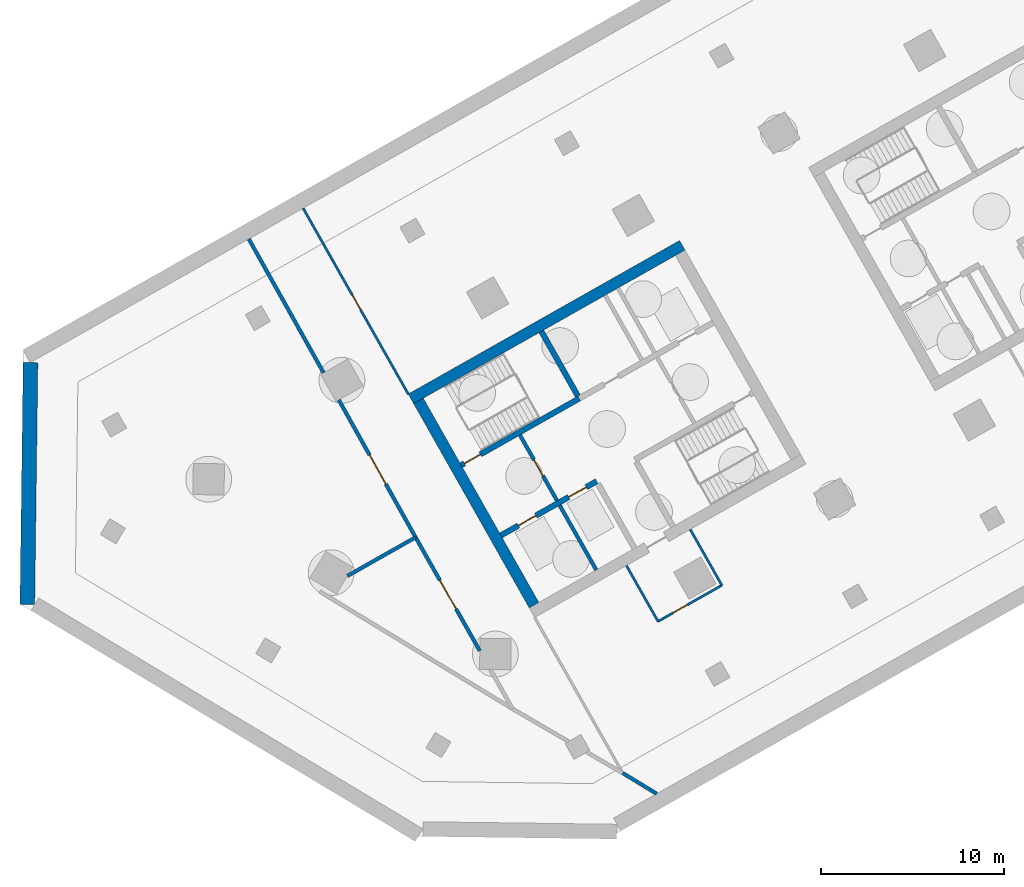
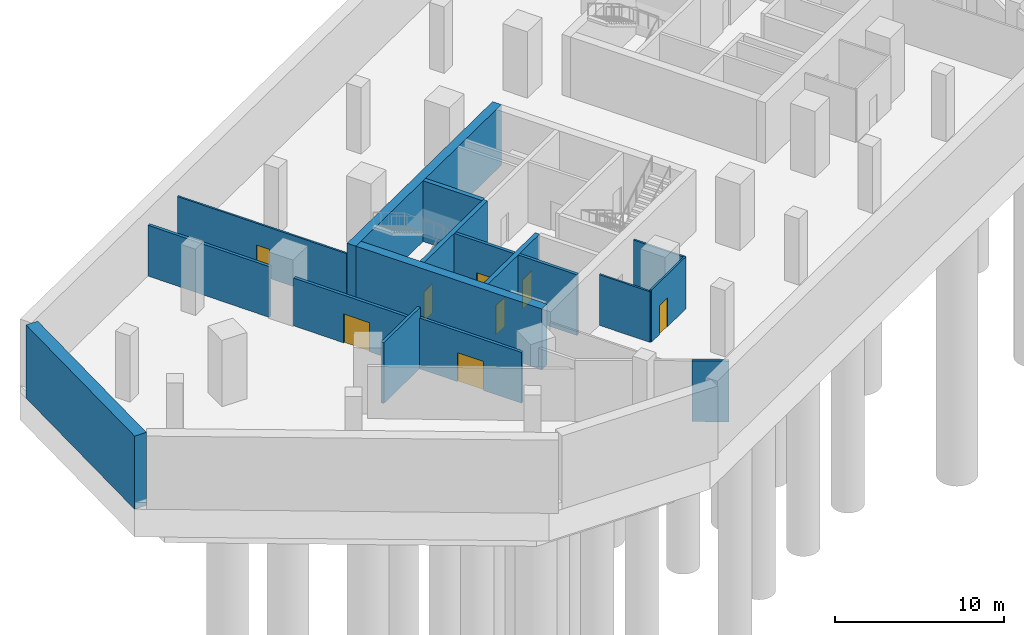
# One storey, part 2 of 11: 17 walls, 8 doors, 8 openings.
"""IFC4 building model written with IfcOpenShell, lengths in metres."""

from ifc_helpers import new_model, si_unit, direction, frame, frame_2d, origin, place, context, subcontext, project, spatial, rectangle, extrude, material, layer, layer_set, type_object, element, fill, save


model = new_model("IFC4")

# Units and contexts
model_context = context("Model", 3, precision=1e-05, world=origin(), true_north=direction((0.0, 1.0)))
body_context = subcontext(model_context, "Body", "Model", "MODEL_VIEW")
ifc_project = project(units=[si_unit("LENGTHUNIT", "METRE"), si_unit("AREAUNIT", "SQUARE_METRE"), si_unit("VOLUMEUNIT", "CUBIC_METRE"), si_unit("PLANEANGLEUNIT", "RADIAN"), si_unit("MASSUNIT", "GRAM", prefix="KILO")], contexts=[model_context])

# Site, building, storey
site_placement = place(None, origin())
site = spatial("IfcSite", under=ifc_project, at=site_placement, CompositionType="ELEMENT")
building_placement = place(site_placement, origin())
building = spatial("IfcBuilding", under=site, at=building_placement, Name="Binnacle Exchange Tower", CompositionType="ELEMENT")
storey_placement = place(building_placement, frame((0.0, 0.0, -9.60009765625)))
storey = spatial("IfcBuildingStorey", under=building, at=storey_placement, Name="B2", CompositionType="ELEMENT", Elevation=-9.60009765625)

# Wall
ifc_material_1 = material(Name="Concrete C40/50", Category="concrete")
ifc_layer_1 = layer(ifc_material_1, 0.800048828125)
ifc_layer_set_1 = layer_set([ifc_layer_1], Name="Basement retaining wall 800 Concrete C40/50")
wall_type_1 = type_object("IfcWallType", Name="Basement retaining wall 800 Concrete C40/50", PredefinedType="SOLIDWALL", material=ifc_layer_set_1)
wall_1_placement = place(storey_placement, frame((-67.210693359375, 43.383544921875, -0.5), z_axis=(0.0, 0.0, 1.0), x_axis=(-0.01309437996, -0.999914264931, 0.0)))
element("IfcWall", 1, at=wall_1_placement, inside=storey, type_object=wall_type_1, Name="S:RW:B2:05", PredefinedType="SOLIDWALL", context=body_context, shape_type="SweptSolid", body=[
    extrude(rectangle(XDim=13.181884765625, YDim=0.800048828125, at=frame_2d((6.5908203125, 0.0))), origin(), (0.0, 0.0, 1.0), 5.300048828125),
])

# Wall, openings, doors
ifc_material_2 = material(Name="Concrete C70/85", Category="concrete")
ifc_layer_2 = layer(ifc_material_2, 0.300048828125)
ifc_layer_set_2 = layer_set([ifc_layer_2], Name="Core wall - front 300")
wall_type_2 = type_object("IfcWallType", Name="Core wall - front 300", PredefinedType="SOLIDWALL", material=ifc_layer_set_2)
wall_2_placement = place(storey_placement, frame((-41.555908203125, 33.9609375, 0.0), z_axis=(0.0, 0.0, 1.0), x_axis=(0.870343731308, 0.492444706919, 0.0)))
wall_2 = element("IfcWall", 2, at=wall_2_placement, inside=storey, type_object=wall_type_2, Name="Core wall CRWA2", PredefinedType="SOLIDWALL", context=body_context, shape_type="SweptSolid", body=[
    extrude(rectangle(XDim=5.999755859375, YDim=0.300048828125, at=frame_2d((3.0, 0.0))), origin(), (0.0, 0.0, 1.0), 4.400146484375),
])
opening_1_placement = place(wall_2_placement, frame((1.099853515625, 0.0, 0.0)))
opening_1 = element("IfcOpeningElement", 3, at=opening_1_placement, cuts=wall_2, Name="Opening LD12", PredefinedType="OPENING", context=body_context, shape_type="SweptSolid", body=[
    extrude(rectangle(XDim=1.10009765625, YDim=2.10009765625, at=frame_2d((0.550048828125, 1.050048828125))), frame((0.0, 0.159912109375, 0.0), z_axis=(0.0, -1.0, 0.0), x_axis=(1.0, 0.0, 0.0)), (0.0, 0.0, 1.0), 0.320068359375),
])
opening_2_placement = place(wall_2_placement, frame((4.25, 0.0, 0.0)))
opening_2 = element("IfcOpeningElement", 4, at=opening_2_placement, cuts=wall_2, Name="Opening LD8", PredefinedType="OPENING", context=body_context, shape_type="SweptSolid", body=[
    extrude(rectangle(XDim=1.10009765625, YDim=2.10009765625, at=frame_2d((0.550048828125, 1.050048828125))), frame((0.0, 0.159912109375, 0.0), z_axis=(0.0, -1.0, 0.0), x_axis=(1.0, 0.0, 0.0)), (0.0, 0.0, 1.0), 0.320068359375),
])
ifc_material_3 = material(Name="Steel door leaf", Category="steel")
door_type_1 = type_object("IfcDoorType", Name="Fire door - lift landing 1100", OperationType="NOTDEFINED", PredefinedType="DOOR", material=ifc_material_3)
door_1_placement = place(opening_1_placement, origin())
door_1 = element("IfcDoor", 5, at=door_1_placement, inside=storey, type_object=door_type_1, Name="Landing door LD12 B2", OperationType="DOUBLE_DOOR_SLIDING", OverallHeight=2.10009765625, OverallWidth=1.10009765625, PredefinedType="DOOR", context=body_context, shape_type="SweptSolid", body=[
    extrude(rectangle(XDim=1.10009765625, YDim=2.10009765625, at=frame_2d((0.550048828125, 1.050048828125))), frame((0.0, 0.02490234375, 0.0), z_axis=(0.0, -1.0, 0.0), x_axis=(1.0, 0.0, 0.0)), (0.0, 0.0, 1.0), 0.050048828125),
])
fill(opening_1, door_1)
door_2_placement = place(opening_2_placement, origin())
door_2 = element("IfcDoor", 6, at=door_2_placement, inside=storey, type_object=door_type_1, Name="Landing door LD8 B2", OperationType="DOUBLE_DOOR_SLIDING", OverallHeight=2.10009765625, OverallWidth=1.10009765625, PredefinedType="DOOR", context=body_context, shape_type="SweptSolid", body=[
    extrude(rectangle(XDim=1.10009765625, YDim=2.10009765625, at=frame_2d((0.550048828125, 1.050048828125))), frame((0.0, 0.02490234375, 0.0), z_axis=(0.0, -1.0, 0.0), x_axis=(1.0, 0.0, 0.0)), (0.0, 0.0, 1.0), 0.050048828125),
])
fill(opening_2, door_2)

# Walls
ifc_layer_3 = layer(ifc_material_2, 0.60009765625)
ifc_layer_set_3 = layer_set([ifc_layer_3], Name="Core wall - outer 600")
wall_type_3 = type_object("IfcWallType", Name="Core wall - outer 600", PredefinedType="SOLIDWALL", material=ifc_layer_set_3)
wall_3_placement = place(storey_placement, frame((-46.460693359375, 41.41162109375, 0.0), z_axis=(0.0, 0.0, 1.0), x_axis=(0.870350116061, 0.492433422375, 0.0)))
element("IfcWall", 7, at=wall_3_placement, inside=storey, type_object=wall_type_3, Name="Core wall CRWA6", PredefinedType="SOLIDWALL", context=body_context, shape_type="SweptSolid", body=[
    extrude(rectangle(XDim=17.0, YDim=0.60009765625, at=frame_2d((8.5, 0.0))), origin(), (0.0, 0.0, 1.0), 4.400146484375),
])
wall_4_placement = place(storey_placement, frame((-46.052001953125, 41.29833984375, 0.0), z_axis=(0.0, 0.0, 1.0), x_axis=(0.492418598281, -0.870358503186, 0.0)))
element("IfcWall", 8, at=wall_4_placement, inside=storey, type_object=wall_type_3, Name="Core wall CRWA7", PredefinedType="SOLIDWALL", context=body_context, shape_type="SweptSolid", body=[
    extrude(rectangle(XDim=12.800048828125, YDim=0.60009765625, at=frame_2d((6.39990234375, 0.0))), origin(), (0.0, 0.0, 1.0), 4.400146484375),
])

# Wall, opening, door
ifc_layer_4 = layer(ifc_material_2, 0.300048828125)
ifc_layer_set_4 = layer_set([ifc_layer_4], Name="Core wall - stair 300")
wall_type_4 = type_object("IfcWallType", Name="Core wall - stair 300", PredefinedType="SOLIDWALL", material=ifc_layer_set_4)
wall_5_placement = place(storey_placement, frame((-43.72265625, 37.79052734375, 0.0), z_axis=(0.0, 0.0, 1.0), x_axis=(0.87035077051, 0.49243226567, 0.0)))
wall_5 = element("IfcWall", 9, at=wall_5_placement, inside=storey, type_object=wall_type_4, Name="Core wall CRWA4", PredefinedType="SOLIDWALL", context=body_context, shape_type="SweptSolid", body=[
    extrude(rectangle(XDim=7.400146484375, YDim=0.300048828125, at=frame_2d((3.7001953125, 0.0))), origin(), (0.0, 0.0, 1.0), 4.400146484375),
])
opening_3_placement = place(wall_5_placement, frame((0.199951171875, 0.0, 0.0)))
opening_3 = element("IfcOpeningElement", 10, at=opening_3_placement, cuts=wall_5, Name="Opening DA1", PredefinedType="OPENING", context=body_context, shape_type="SweptSolid", body=[
    extrude(rectangle(XDim=1.0, YDim=2.10009765625, at=frame_2d((0.5, 1.050048828125))), frame((0.0, 0.159912109375, 0.0), z_axis=(0.0, -1.0, 0.0), x_axis=(1.0, 0.0, 0.0)), (0.0, 0.0, 1.0), 0.320068359375),
])
door_type_2 = type_object("IfcDoorType", Name="Fire door 1000", OperationType="NOTDEFINED", PredefinedType="DOOR", material=ifc_material_3)
door_3_placement = place(opening_3_placement, origin())
door_3 = element("IfcDoor", 11, at=door_3_placement, inside=storey, type_object=door_type_2, Name="Stair door ST-A1", OperationType="SINGLE_SWING_LEFT", OverallHeight=2.10009765625, OverallWidth=1.0, PredefinedType="DOOR", context=body_context, shape_type="SweptSolid", body=[
    extrude(rectangle(XDim=1.0, YDim=2.10009765625, at=frame_2d((0.5, 1.050048828125))), frame((0.0, 0.02490234375, 0.0), z_axis=(0.0, -1.0, 0.0), x_axis=(1.0, 0.0, 0.0)), (0.0, 0.0, 1.0), 0.050048828125),
])
fill(opening_3, door_3)

# Walls
wall_6_placement = place(storey_placement, frame((-39.350341796875, 45.090087890625, 0.0), z_axis=(0.0, 0.0, 1.0), x_axis=(0.49241474071, -0.870360685654, 0.0)))
element("IfcWall", 12, at=wall_6_placement, inside=storey, type_object=wall_type_4, Name="Core wall CRWA14", PredefinedType="SOLIDWALL", context=body_context, shape_type="SweptSolid", body=[
    extrude(rectangle(XDim=4.05029296875, YDim=0.300048828125, at=frame_2d((2.025146484375, 0.0))), origin(), (0.0, 0.0, 1.0), 4.400146484375),
])
ifc_material_4 = material(Name="Masonry block wall", Category="masonry")
ifc_layer_5 = layer(ifc_material_4, 0.199951171875)
ifc_layer_set_5 = layer_set([ifc_layer_5], Name="Fire wall - block 200")
wall_type_5 = type_object("IfcWallType", Name="Fire wall - block 200", PredefinedType="PARTITIONING", material=ifc_layer_set_5)
wall_7_placement = place(storey_placement, frame((-55.305908203125, 50.131103515625, 0.0), z_axis=(0.0, 0.0, 1.0), x_axis=(0.488006573134, -0.872839953587, 0.0)))
element("IfcWall", 13, at=wall_7_placement, inside=storey, type_object=wall_type_5, Name="Partition W01", PredefinedType="PARTITIONING", context=body_context, shape_type="SweptSolid", body=[
    extrude(rectangle(XDim=8.360107421875, YDim=0.199951171875, at=frame_2d((4.18017578125, 0.0))), origin(), (0.0, 0.0, 1.0), 3.68017578125),
])

# Wall, opening, door
wall_8_placement = place(storey_placement, frame((-50.39697265625, 41.35009765625, 0.0), z_axis=(0.0, 0.0, 1.0), x_axis=(0.487964129566, -0.872863682517, 0.0)))
wall_8 = element("IfcWall", 14, at=wall_8_placement, inside=storey, type_object=wall_type_5, Name="Partition W04", PredefinedType="PARTITIONING", context=body_context, shape_type="SweptSolid", body=[
    extrude(rectangle(XDim=8.58447265625, YDim=0.199951171875, at=frame_2d((4.292236328125, 0.0))), origin(), (0.0, 0.0, 1.0), 3.462158203125),
])
opening_4_placement = place(wall_8_placement, frame((3.449951171875, 0.0, 0.0)))
opening_4 = element("IfcOpeningElement", 15, at=opening_4_placement, cuts=wall_8, Name="Opening DB2-04", PredefinedType="OPENING", context=body_context, shape_type="SweptSolid", body=[
    extrude(rectangle(XDim=1.800048828125, YDim=2.10009765625, at=frame_2d((0.89990234375, 1.050048828125))), frame((0.0, 0.10986328125, 0.0), z_axis=(0.0, -1.0, 0.0), x_axis=(1.0, 0.0, 0.0)), (0.0, 0.0, 1.0), 0.219970703125),
])
door_type_3 = type_object("IfcDoorType", Name="Fire door 1800", OperationType="NOTDEFINED", PredefinedType="DOOR", material=ifc_material_3)
door_4_placement = place(opening_4_placement, frame((1.800048828125, 0.0, 0.0), z_axis=(0.0, 0.0, 1.0), x_axis=(-1.0, 0.0, 0.0)))
door_4 = element("IfcDoor", 16, at=door_4_placement, inside=storey, type_object=door_type_3, Name="Door DB2-04", OperationType="DOUBLE_DOOR_SINGLE_SWING", OverallHeight=2.10009765625, OverallWidth=1.800048828125, PredefinedType="DOOR", context=body_context, shape_type="SweptSolid", body=[
    extrude(rectangle(XDim=1.800048828125, YDim=2.10009765625, at=frame_2d((0.89990234375, 1.050048828125))), frame((0.0, 0.02490234375, 0.0), z_axis=(0.0, -1.0, 0.0), x_axis=(1.0, 0.0, 0.0)), (0.0, 0.0, 1.0), 0.050048828125),
])
fill(opening_4, door_4)

# Wall
wall_9_placement = place(storey_placement, frame((-49.927978515625, 31.751953125, 0.0), z_axis=(0.0, 0.0, 1.0), x_axis=(0.87032337569, 0.492480681578, 0.0)))
element("IfcWall", 17, at=wall_9_placement, inside=storey, type_object=wall_type_5, Name="Partition W05", PredefinedType="PARTITIONING", context=body_context, shape_type="SweptSolid", body=[
    extrude(rectangle(XDim=4.274169921875, YDim=0.199951171875, at=frame_2d((2.13720703125, 0.0))), origin(), (0.0, 0.0, 1.0), 4.400146484375),
])

# Wall, opening, door
wall_10_placement = place(storey_placement, frame((-46.2080078125, 33.85693359375, 0.0), z_axis=(0.0, 0.0, 1.0), x_axis=(0.492349035507, -0.870397855716, 0.0)))
wall_10 = element("IfcWall", 18, at=wall_10_placement, inside=storey, type_object=wall_type_5, Name="Partition W06", PredefinedType="PARTITIONING", context=body_context, shape_type="SweptSolid", body=[
    extrude(rectangle(XDim=7.11279296875, YDim=0.199951171875, at=frame_2d((3.556396484375, 0.0))), origin(), (0.0, 0.0, 1.0), 3.68017578125),
])
opening_5_placement = place(wall_10_placement, frame((2.699951171875, 0.0, 0.0)))
opening_5 = element("IfcOpeningElement", 19, at=opening_5_placement, cuts=wall_10, Name="Opening DB2-05", PredefinedType="OPENING", context=body_context, shape_type="SweptSolid", body=[
    extrude(rectangle(XDim=1.800048828125, YDim=2.10009765625, at=frame_2d((0.89990234375, 1.050048828125))), frame((0.0, 0.10986328125, 0.0), z_axis=(0.0, -1.0, 0.0), x_axis=(1.0, 0.0, 0.0)), (0.0, 0.0, 1.0), 0.219970703125),
])
door_5_placement = place(opening_5_placement, frame((1.800048828125, 0.0, 0.0), z_axis=(0.0, 0.0, 1.0), x_axis=(-1.0, 0.0, 0.0)))
door_5 = element("IfcDoor", 20, at=door_5_placement, inside=storey, type_object=door_type_3, Name="Door DB2-05", OperationType="DOUBLE_DOOR_SINGLE_SWING", OverallHeight=2.10009765625, OverallWidth=1.800048828125, PredefinedType="DOOR", context=body_context, shape_type="SweptSolid", body=[
    extrude(rectangle(XDim=1.800048828125, YDim=2.10009765625, at=frame_2d((0.89990234375, 1.050048828125))), frame((0.0, 0.02490234375, 0.0), z_axis=(0.0, -1.0, 0.0), x_axis=(1.0, 0.0, 0.0)), (0.0, 0.0, 1.0), 0.050048828125),
])
fill(opening_5, door_5)

# Wall
wall_11_placement = place(storey_placement, frame((-34.9130859375, 21.001953125, 0.0), z_axis=(0.0, 0.0, 1.0), x_axis=(0.853754667267, -0.520675492145, 0.0)))
element("IfcWall", 21, at=wall_11_placement, inside=storey, type_object=wall_type_5, Name="Partition W11", PredefinedType="PARTITIONING", context=body_context, shape_type="SweptSolid", body=[
    extrude(rectangle(XDim=2.168212890625, YDim=0.199951171875, at=frame_2d((1.083984375, 0.0))), origin(), (0.0, 0.0, 1.0), 4.400146484375),
])

# Wall, opening, door
ifc_layer_6 = layer(ifc_material_4, 0.199951171875)
ifc_layer_set_6 = layer_set([ifc_layer_6], Name="Fire wall - vestibule 200")
wall_type_6 = type_object("IfcWallType", Name="Fire wall - vestibule 200", PredefinedType="PARTITIONING", material=ifc_layer_set_6)
wall_12_placement = place(storey_placement, frame((-40.515625, 39.4326171875, 0.0), z_axis=(0.0, 0.0, 1.0), x_axis=(0.492453559952, -0.87033872216, 0.0)))
wall_12 = element("IfcWall", 22, at=wall_12_placement, inside=storey, type_object=wall_type_6, Name="Core wall CRWA10", PredefinedType="PARTITIONING", context=body_context, shape_type="SweptSolid", body=[
    extrude(rectangle(XDim=4.099853515625, YDim=0.199951171875, at=frame_2d((2.0498046875, 0.0))), origin(), (0.0, 0.0, 1.0), 4.400146484375),
])
opening_6_placement = place(wall_12_placement, frame((1.550048828125, 0.0, 0.0)))
opening_6 = element("IfcOpeningElement", 23, at=opening_6_placement, cuts=wall_12, Name="Opening DA3", PredefinedType="OPENING", context=body_context, shape_type="SweptSolid", body=[
    extrude(rectangle(XDim=1.0, YDim=2.10009765625, at=frame_2d((0.5, 1.050048828125))), frame((0.0, 0.10986328125, 0.0), z_axis=(0.0, -1.0, 0.0), x_axis=(1.0, 0.0, 0.0)), (0.0, 0.0, 1.0), 0.219970703125),
])
door_6_placement = place(opening_6_placement, frame((1.0, 0.0, 0.0), z_axis=(0.0, 0.0, 1.0), x_axis=(-1.0, 0.0, 0.0)))
door_6 = element("IfcDoor", 24, at=door_6_placement, inside=storey, type_object=door_type_2, Name="Vestibule door VEST-W", OperationType="SINGLE_SWING_LEFT", OverallHeight=2.10009765625, OverallWidth=1.0, PredefinedType="DOOR", context=body_context, shape_type="SweptSolid", body=[
    extrude(rectangle(XDim=1.0, YDim=2.10009765625, at=frame_2d((0.5, 1.050048828125))), frame((0.0, 0.02490234375, 0.0), z_axis=(0.0, -1.0, 0.0), x_axis=(1.0, 0.0, 0.0)), (0.0, 0.0, 1.0), 0.050048828125),
])
fill(opening_6, door_6)

ifc_material_5 = material(Name="Gypsum partition")
ifc_layer_7 = layer(ifc_material_5, 0.125)
ifc_layer_set_7 = layer_set([ifc_layer_7], Name="Partition 125")
wall_type_7 = type_object("IfcWallType", Name="Partition 125", PredefinedType="PARTITIONING", material=ifc_layer_set_7)
wall_13_placement = place(storey_placement, frame((-52.342041015625, 51.80810546875, 0.0), z_axis=(0.0, 0.0, 1.0), x_axis=(0.492361213904, -0.870390966775, 0.0)))
wall_13 = element("IfcWall", 25, at=wall_13_placement, inside=storey, type_object=wall_type_7, Name="Partition W02", PredefinedType="PARTITIONING", context=body_context, shape_type="SweptSolid", body=[
    extrude(rectangle(XDim=11.644287109375, YDim=0.125, at=frame_2d((5.822265625, 0.0))), origin(), (0.0, 0.0, 1.0), 3.68017578125),
])
opening_7_placement = place(wall_13_placement, frame((5.449951171875, 0.0, 0.0)))
opening_7 = element("IfcOpeningElement", 26, at=opening_7_placement, cuts=wall_13, Name="Opening DB2-03", PredefinedType="OPENING", context=body_context, shape_type="SweptSolid", body=[
    extrude(rectangle(XDim=0.89990234375, YDim=2.10009765625, at=frame_2d((0.449951171875, 1.050048828125))), frame((0.0, 0.072509765625, 0.0), z_axis=(0.0, -1.0, 0.0), x_axis=(1.0, 0.0, 0.0)), (0.0, 0.0, 1.0), 0.14501953125),
])
ifc_material_6 = material(Name="Timber door leaf", Category="wood")
door_type_4 = type_object("IfcDoorType", Name="Door 900", OperationType="NOTDEFINED", PredefinedType="DOOR", material=ifc_material_6)
door_7_placement = place(opening_7_placement, frame((0.89990234375, 0.0, 0.0), z_axis=(0.0, 0.0, 1.0), x_axis=(-1.0, 0.0, 0.0)))
door_7 = element("IfcDoor", 27, at=door_7_placement, inside=storey, type_object=door_type_4, Name="Door DB2-03", OperationType="SINGLE_SWING_LEFT", OverallHeight=2.10009765625, OverallWidth=0.89990234375, PredefinedType="DOOR", context=body_context, shape_type="SweptSolid", body=[
    extrude(rectangle(XDim=0.89990234375, YDim=2.10009765625, at=frame_2d((0.449951171875, 1.050048828125))), frame((0.0, 0.02490234375, 0.0), z_axis=(0.0, -1.0, 0.0), x_axis=(1.0, 0.0, 0.0)), (0.0, 0.0, 1.0), 0.050048828125),
])
fill(opening_7, door_7)

# Wall
wall_14_placement = place(storey_placement, frame((-34.7099609375, 32.319091796875, 0.0), z_axis=(0.0, 0.0, 1.0), x_axis=(0.492310098002, -0.870419879946, 0.0)))
element("IfcWall", 28, at=wall_14_placement, inside=storey, type_object=wall_type_7, Name="Partition W12", PredefinedType="PARTITIONING", context=body_context, shape_type="SweptSolid", body=[
    extrude(rectangle(XDim=3.49951171875, YDim=0.125, at=frame_2d((1.749755859375, 0.0))), origin(), (0.0, 0.0, 1.0), 3.672119140625),
])

# Wall, opening, door
wall_15_placement = place(storey_placement, frame((-32.987060546875, 29.27294921875, 0.0), z_axis=(0.0, 0.0, 1.0), x_axis=(0.87037183571, 0.492395032065, 0.0)))
wall_15 = element("IfcWall", 29, at=wall_15_placement, inside=storey, type_object=wall_type_7, Name="Partition W13", PredefinedType="PARTITIONING", context=body_context, shape_type="SweptSolid", body=[
    extrude(rectangle(XDim=4.000732421875, YDim=0.125, at=frame_2d((2.00048828125, 0.0))), origin(), (0.0, 0.0, 1.0), 3.780029296875),
])
opening_8_placement = place(wall_15_placement, frame((0.949951171875, 0.0, 0.0)))
opening_8 = element("IfcOpeningElement", 30, at=opening_8_placement, cuts=wall_15, Name="Opening DB2-01", PredefinedType="OPENING", context=body_context, shape_type="SweptSolid", body=[
    extrude(rectangle(XDim=0.89990234375, YDim=2.10009765625, at=frame_2d((0.449951171875, 1.050048828125))), frame((0.0, 0.072509765625, 0.0), z_axis=(0.0, -1.0, 0.0), x_axis=(1.0, 0.0, 0.0)), (0.0, 0.0, 1.0), 0.14501953125),
])
door_8_placement = place(opening_8_placement, origin())
door_8 = element("IfcDoor", 31, at=door_8_placement, inside=storey, type_object=door_type_4, Name="Door DB2-01", OperationType="SINGLE_SWING_LEFT", OverallHeight=2.10009765625, OverallWidth=0.89990234375, PredefinedType="DOOR", context=body_context, shape_type="SweptSolid", body=[
    extrude(rectangle(XDim=0.89990234375, YDim=2.10009765625, at=frame_2d((0.449951171875, 1.050048828125))), frame((0.0, 0.02490234375, 0.0), z_axis=(0.0, -1.0, 0.0), x_axis=(1.0, 0.0, 0.0)), (0.0, 0.0, 1.0), 0.050048828125),
])
fill(opening_8, door_8)

# Walls
wall_16_placement = place(storey_placement, frame((-31.22900390625, 34.2890625, 0.0), z_axis=(0.0, 0.0, 1.0), x_axis=(0.492574298942, -0.870270394775, 0.0)))
element("IfcWall", 32, at=wall_16_placement, inside=storey, type_object=wall_type_7, Name="Partition W14", PredefinedType="PARTITIONING", context=body_context, shape_type="SweptSolid", body=[
    extrude(rectangle(XDim=3.500244140625, YDim=0.125, at=frame_2d((1.75, 0.0))), origin(), (0.0, 0.0, 1.0), 3.76806640625),
])
ifc_layer_8 = layer(ifc_material_4, 0.199951171875)
ifc_layer_set_8 = layer_set([ifc_layer_8], Name="Shaft wall 200")
wall_type_8 = type_object("IfcWallType", Name="Shaft wall 200", PredefinedType="SOLIDWALL", material=ifc_layer_set_8)
wall_17_placement = place(storey_placement, frame((-38.348876953125, 35.603271484375, 0.0), z_axis=(0.0, 0.0, 1.0), x_axis=(0.49241474071, -0.870360685654, 0.0)))
element("IfcWall", 33, at=wall_17_placement, inside=storey, type_object=wall_type_8, Name="Core wall CRWA9", PredefinedType="SOLIDWALL", context=body_context, shape_type="SweptSolid", body=[
    extrude(rectangle(XDim=4.05029296875, YDim=0.199951171875, at=frame_2d((2.025146484375, 0.0))), origin(), (0.0, 0.0, 1.0), 4.400146484375),
])

save(model, "model.ifc")
